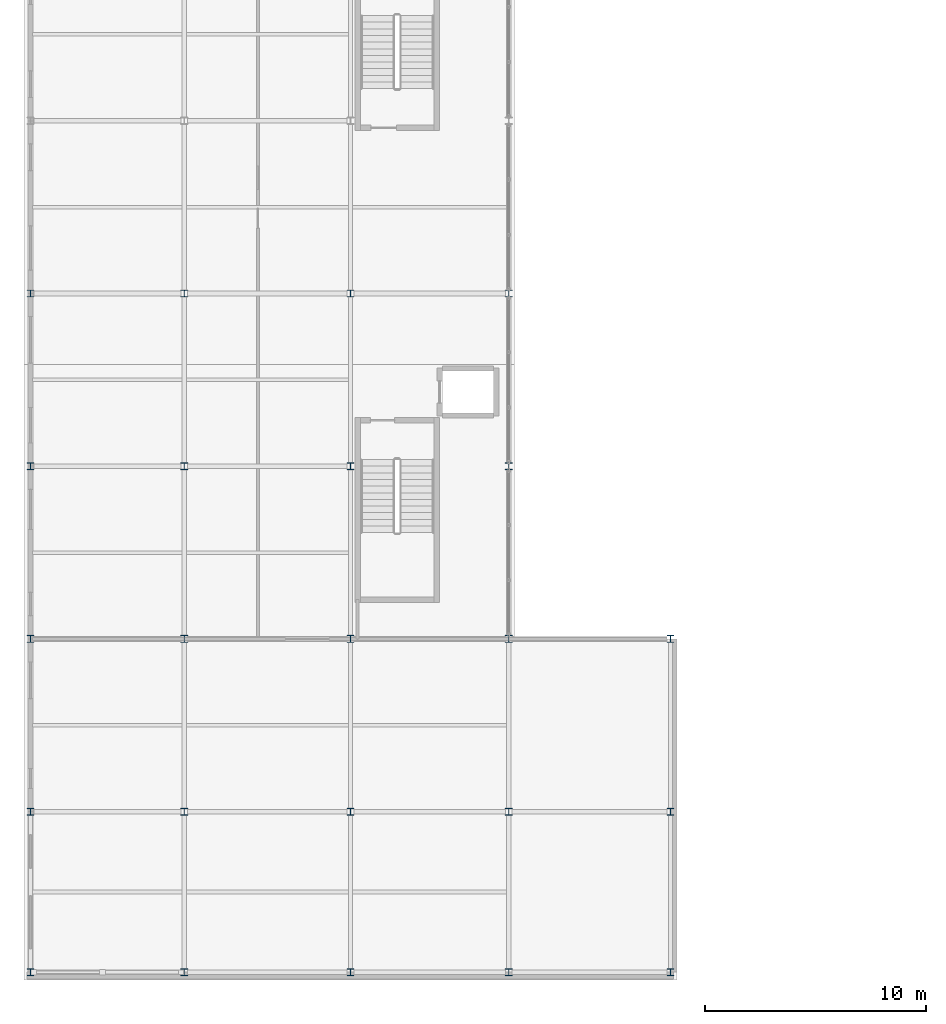
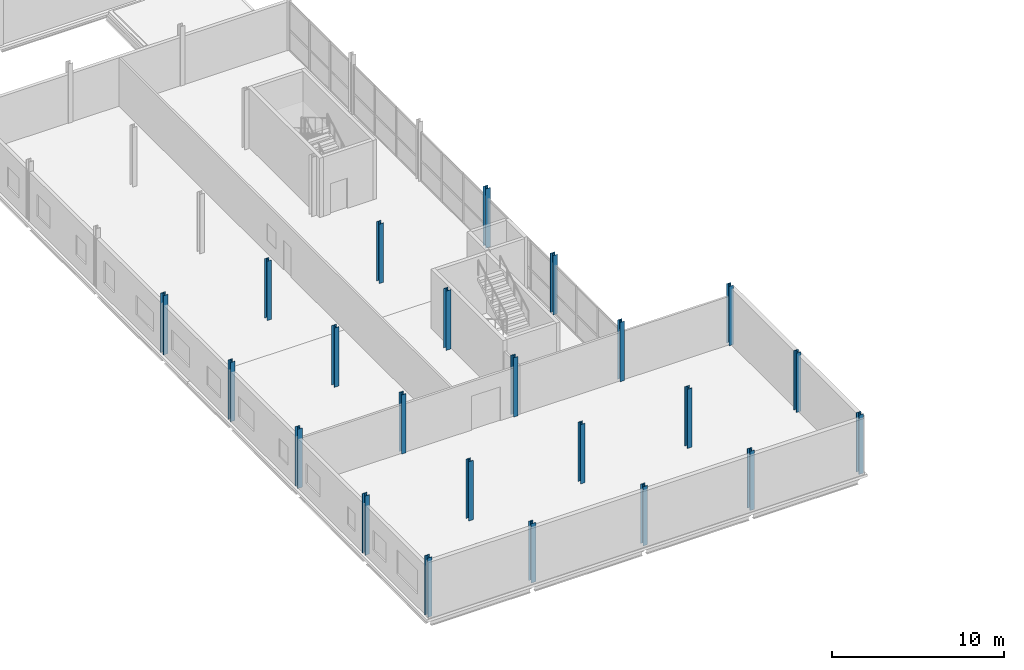
# One storey, part 1 of 65: 23 columns.
"""IFC4 building model written with IfcOpenShell, lengths in metres."""

from ifc_helpers import new_model, si_unit, direction, frame, origin, origin_2d, place, context, subcontext, project, spatial, i_section, extrude, material, material_profile, profile_set, type_object, element, save


model = new_model("IFC4")

# Units and contexts
model_context = context("Model", 3, precision=1e-05, world=origin(), true_north=direction((0.0, 1.0)))
body_context = subcontext(model_context, "Body", "Model", "MODEL_VIEW")
ifc_project = project(units=[si_unit("LENGTHUNIT", "METRE"), si_unit("AREAUNIT", "SQUARE_METRE"), si_unit("VOLUMEUNIT", "CUBIC_METRE"), si_unit("PLANEANGLEUNIT", "RADIAN"), si_unit("MASSUNIT", "GRAM", prefix="KILO")], contexts=[model_context])

# Site, building, storey
site_placement = place(None, origin())
site = spatial("IfcSite", under=ifc_project, at=site_placement, CompositionType="ELEMENT")
building_placement = place(site_placement, origin())
building = spatial("IfcBuilding", under=site, at=building_placement, Name="Quillay Park Conservatory", CompositionType="ELEMENT")
storey_placement = place(building_placement, frame((0.0, 0.0, 14.10009765625)))
storey = spatial("IfcBuildingStorey", under=building, at=storey_placement, Name="L03", CompositionType="ELEMENT", Elevation=14.10009765625)

# Columns
ifc_material = material(Name="Steel ASTM A992 Grade 50", Category="steel")
ifc_material_profile = material_profile(ifc_material, i_section(OverallWidth=0.306884765625, OverallDepth=0.31396484375, WebThickness=0.011962890625, FlangeThickness=0.018798828125, FilletRadius=0.014892578125, at=origin_2d()), Name="W310x117")
ifc_profile_set = profile_set([ifc_material_profile], Name="Steel ASTM A992 Grade 50")
column_type = type_object("IfcColumnType", Name="COMPOSITE STEEL COLUMN W310 X117", PredefinedType="COLUMN", material=ifc_profile_set)
for number, where, z_axis, x_axis, name in (
    (1, (0.550048828125, 0.550048828125, 0.0), (0.0, 0.0, 1.0), (1.0, 0.0, 0.0), "L03 column COL-V3-L03-0-0"),
    (2, (0.550048828125, 7.800048828125, 0.0), (0.0, 0.0, 1.0), (1.0, 0.0, 0.0), "L03 column COL-V3-L03-0-1"),
    (3, (0.550048828125, 15.60009765625, 0.0), (0.0, 0.0, 1.0), (1.0, 0.0, 0.0), "L03 column COL-V3-L03-0-2"),
    (4, (0.550048828125, 23.39990234375, 0.0), (0.0, 0.0, 1.0), (1.0, 0.0, 0.0), "L03 column COL-V3-L03-0-3"),
    (5, (0.550048828125, 31.199951171875, 0.0), (0.0, 0.0, 1.0), (1.0, 0.0, 0.0), "L03 column COL-V3-L03-0-4"),
    (6, (7.5, 0.550048828125, 0.0), (0.0, 0.0, 1.0), (1.0, 0.0, 0.0), "L03 column COL-V3-L03-1-0"),
    (7, (7.5, 7.800048828125, 0.0), (0.0, 0.0, 1.0), (1.0, 0.0, 0.0), "L03 column COL-V3-L03-1-1"),
    (8, (7.5, 15.60009765625, 0.0), (0.0, 0.0, 1.0), (1.0, 0.0, 0.0), "L03 column COL-V3-L03-1-2"),
    (9, (7.5, 23.39990234375, 0.0), (0.0, 0.0, 1.0), (1.0, 0.0, 0.0), "L03 column COL-V3-L03-1-3"),
    (10, (7.5, 31.199951171875, 0.0), (0.0, 0.0, 1.0), (1.0, 0.0, 0.0), "L03 column COL-V3-L03-1-4"),
    (11, (15.0, 0.550048828125, 0.0), (0.0, 0.0, 1.0), (1.0, 0.0, 0.0), "L03 column COL-V3-L03-2-0"),
    (12, (15.0, 7.800048828125, 0.0), (0.0, 0.0, 1.0), (1.0, 0.0, 0.0), "L03 column COL-V3-L03-2-1"),
    (13, (15.0, 15.60009765625, 0.0), (0.0, 0.0, 1.0), (1.0, 0.0, 0.0), "L03 column COL-V3-L03-2-2"),
    (14, (15.0, 23.39990234375, 0.0), (0.0, 0.0, 1.0), (1.0, 0.0, 0.0), "L03 column COL-V3-L03-2-3"),
    (15, (15.0, 31.199951171875, 0.0), (0.0, 0.0, 1.0), (1.0, 0.0, 0.0), "L03 column COL-V3-L03-2-4"),
    (16, (22.14990234375, 0.550048828125, 0.0), (0.0, 0.0, 1.0), (1.0, 0.0, 0.0), "L03 column COL-V3-L03-3-0"),
    (17, (22.14990234375, 7.800048828125, 0.0), (0.0, 0.0, 1.0), (1.0, 0.0, 0.0), "L03 column COL-V3-L03-3-1"),
    (18, (22.14990234375, 15.60009765625, 0.0), (0.0, 0.0, 1.0), (1.0, 0.0, 0.0), "L03 column COL-V3-L03-3-2"),
    (19, (22.14990234375, 23.39990234375, 0.0), (0.0, 0.0, 1.0), (1.0, 0.0, 0.0), "L03 column COL-V3-L03-3-3"),
    (20, (22.14990234375, 31.199951171875, 0.0), (0.0, 0.0, 1.0), (1.0, 0.0, 0.0), "L03 column COL-V3-L03-3-4"),
    (21, (29.449951171875, 0.550048828125, 0.0), (0.0, 0.0, 1.0), (1.0, 0.0, 0.0), "L03 column COL-V3-L03-4-0"),
    (22, (29.449951171875, 7.800048828125, 0.0), (0.0, 0.0, 1.0), (1.0, 0.0, 0.0), "L03 column COL-V3-L03-4-1"),
    (23, (29.449951171875, 15.60009765625, 0.0), (0.0, 0.0, 1.0), (1.0, 0.0, 0.0), "L03 column COL-V3-L03-4-2"),
):
    element("IfcColumn", number, at=place(storey_placement, frame(where, z_axis=z_axis, x_axis=x_axis)), inside=storey, type_object=column_type, Name=name, PredefinedType="COLUMN", context=body_context, shape_type="SweptSolid", body=[
        extrude(i_section(OverallWidth=0.306884765625, OverallDepth=0.31396484375, WebThickness=0.011962890625, FlangeThickness=0.018798828125, FilletRadius=0.014892578125, at=origin_2d()), origin(), (0.0, 0.0, 1.0), 4.199951171875),
    ])

save(model, "model.ifc")
